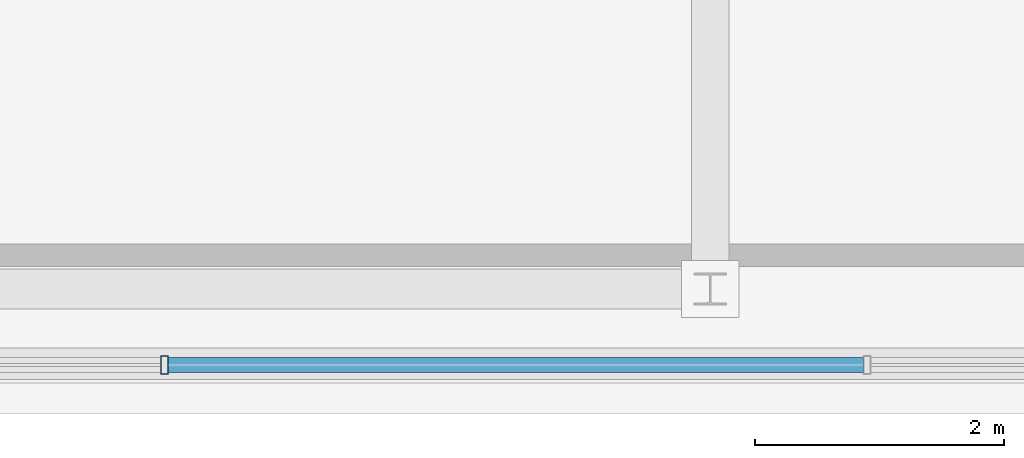
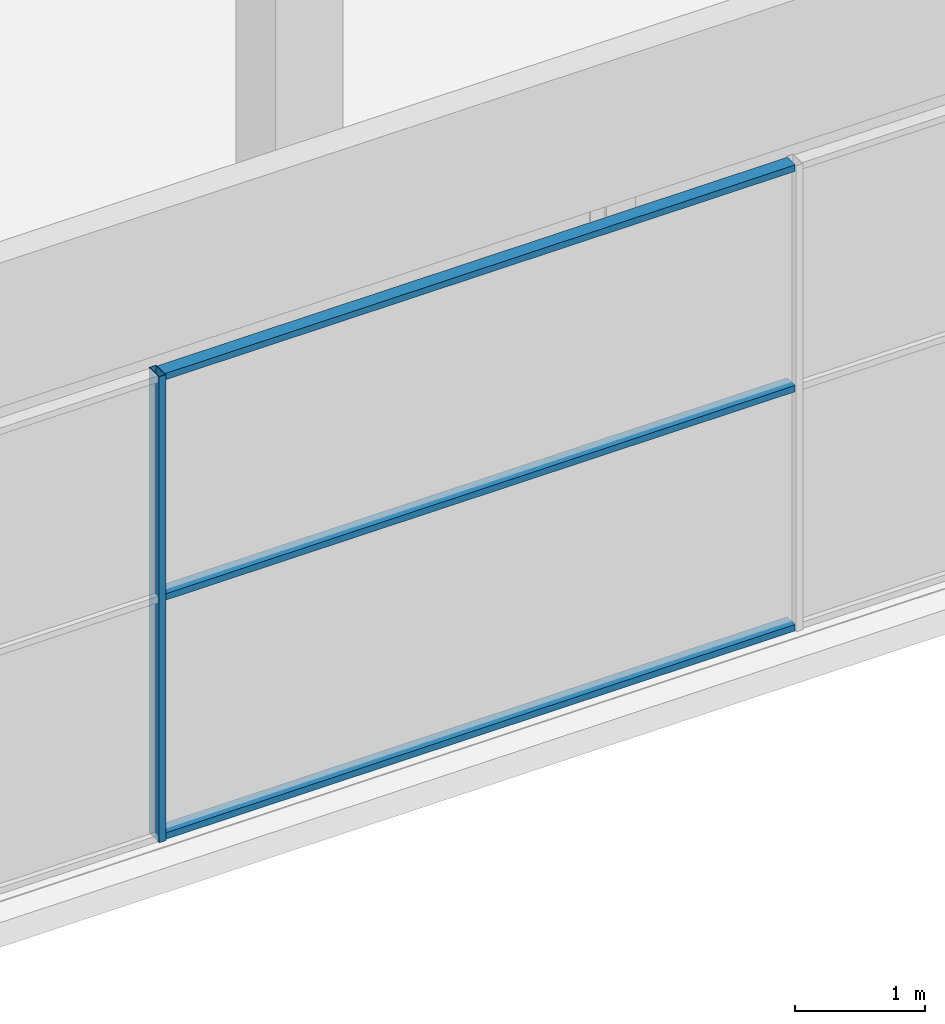
# One storey, part 7 of 22: 4 members, 1 element without a shape of its own.
"""IFC4 building model written with IfcOpenShell, lengths in metres."""

from ifc_helpers import new_model, si_unit, direction, frame, origin, origin_2d, place, context, subcontext, project, spatial, hollow_rectangle, extrude, source, transform, mapped, material, layer, layer_set, material_profile, profile_set, type_object, element, aggregate, save


model = new_model("IFC4")

# Units and contexts
model_context = context("Model", 3, precision=1e-05, world=origin(), true_north=direction((0.0, 1.0)))
body_context = subcontext(model_context, "Body", "Model", "MODEL_VIEW")
ifc_project = project(units=[si_unit("LENGTHUNIT", "METRE"), si_unit("AREAUNIT", "SQUARE_METRE"), si_unit("VOLUMEUNIT", "CUBIC_METRE"), si_unit("PLANEANGLEUNIT", "RADIAN"), si_unit("MASSUNIT", "GRAM", prefix="KILO")], contexts=[model_context])

# Site, building, storey
site_placement = place(None, origin())
site = spatial("IfcSite", under=ifc_project, at=site_placement, CompositionType="ELEMENT")
building_placement = place(site_placement, origin())
building = spatial("IfcBuilding", under=site, at=building_placement, Name="Zarnakvel Exchange Tower", CompositionType="ELEMENT")
storey_placement = place(building_placement, frame((0.0, 0.0, 299.199951171875)))
storey = spatial("IfcBuildingStorey", under=building, at=storey_placement, Name="Crown L83", CompositionType="ELEMENT", Elevation=299.199951171875)

# Curtain wall, members
ifc_material = material(Name="Architectural Bronze Anodised Aluminium", Category="aluminium")
ifc_layer = layer(ifc_material, 0.14990234375)
ifc_layer_set = layer_set([ifc_layer], Name="Architectural Bronze Anodised Aluminium")
curtain_wall_type = type_object("IfcCurtainWallType", Name="CW-07", PredefinedType="NOTDEFINED", material=ifc_layer_set)
curtain_wall_placement = place(storey_placement, origin())
curtain_wall = element("IfcCurtainWall", 1, at=curtain_wall_placement, inside=storey, type_object=curtain_wall_type, Name="Crown L83 Curtain Wall CW-Crown L83-S (CW-07)", PredefinedType="NOTDEFINED")
ifc_material_profile_1 = material_profile(ifc_material, hollow_rectangle(XDim=0.14990234375, YDim=0.06005859375, WallThickness=0.00390625, at=origin_2d()))
ifc_profile_set_1 = profile_set([ifc_material_profile_1], Name="Architectural Bronze Anodised Aluminium")
member_type_1 = type_object("IfcMemberType", Name="CWM-07", PredefinedType="MULLION", material=ifc_profile_set_1)
shared_shape_1 = source(origin(), body_context, "Body", "SweptSolid", [
    extrude(hollow_rectangle(XDim=0.14990234375, YDim=0.06005859375, WallThickness=0.00390625, at=origin_2d()), origin(), (0.0, 0.0, 1.0), 4.360107421875),
])
member_1_placement = place(storey_placement, frame((2.820068359375, -15.159912109375, 0.0), z_axis=(0.0, 0.0, 1.0), x_axis=(0.0, 1.0, 0.0)))
member_1 = element("IfcMember", 2, at=member_1_placement, type_object=member_type_1, Name="CW-07 mullion 4", PredefinedType="MULLION", context=body_context, shape_type="MappedRepresentation", body=[
    mapped(shared_shape_1, transform((0.0, 0.0, 0.0), x_axis=(1.0, 0.0, 0.0), y_axis=(0.0, 1.0, 0.0), z_axis=(0.0, 0.0, 1.0), scale=1.0)),
])
ifc_material_profile_2 = material_profile(ifc_material, hollow_rectangle(XDim=0.1201171875, YDim=0.06005859375, WallThickness=0.00390625, at=origin_2d()))
ifc_profile_set_2 = profile_set([ifc_material_profile_2], Name="Architectural Bronze Anodised Aluminium")
member_type_2 = type_object("IfcMemberType", Name="CWT-07", PredefinedType="USERDEFINED", material=ifc_profile_set_2)
shared_shape_2 = source(origin(), body_context, "Body", "SweptSolid", [
    extrude(hollow_rectangle(XDim=0.1201171875, YDim=0.06005859375, WallThickness=0.00390625, at=origin_2d()), origin(), (0.0, 0.0, 1.0), 5.579833984375),
])
member_2_placement = place(storey_placement, frame((2.85009765625, -15.159912109375, 0.030029296875), z_axis=(1.0, 0.0, 0.0), x_axis=(0.0, 1.0, 0.0)))
member_2 = element("IfcMember", 3, at=member_2_placement, type_object=member_type_2, Name="CW-07 transom 4.1", ObjectType="TRANSOM", PredefinedType="USERDEFINED", context=body_context, shape_type="MappedRepresentation", body=[
    mapped(shared_shape_2, transform((0.0, 0.0, 0.0), x_axis=(1.0, 0.0, 0.0), y_axis=(0.0, 1.0, 0.0), z_axis=(0.0, 0.0, 1.0), scale=1.0)),
])
member_3_placement = place(storey_placement, frame((2.85009765625, -15.159912109375, 2.267333984375), z_axis=(1.0, 0.0, 0.0), x_axis=(0.0, 1.0, 0.0)))
member_3 = element("IfcMember", 4, at=member_3_placement, type_object=member_type_2, Name="CW-07 transom 4.2", ObjectType="TRANSOM", PredefinedType="USERDEFINED", context=body_context, shape_type="MappedRepresentation", body=[
    mapped(shared_shape_2, transform((0.0, 0.0, 0.0), x_axis=(1.0, 0.0, 0.0), y_axis=(0.0, 1.0, 0.0), z_axis=(0.0, 0.0, 1.0), scale=1.0)),
])
member_4_placement = place(storey_placement, frame((2.85009765625, -15.159912109375, 4.330078125), z_axis=(1.0, 0.0, 0.0), x_axis=(0.0, 1.0, 0.0)))
member_4 = element("IfcMember", 5, at=member_4_placement, type_object=member_type_2, Name="CW-07 transom 4.3", ObjectType="TRANSOM", PredefinedType="USERDEFINED", context=body_context, shape_type="MappedRepresentation", body=[
    mapped(shared_shape_2, transform((0.0, 0.0, 0.0), x_axis=(1.0, 0.0, 0.0), y_axis=(0.0, 1.0, 0.0), z_axis=(0.0, 0.0, 1.0), scale=1.0)),
])
aggregate(curtain_wall, [member_1, member_2, member_3, member_4])

save(model, "model.ifc")
